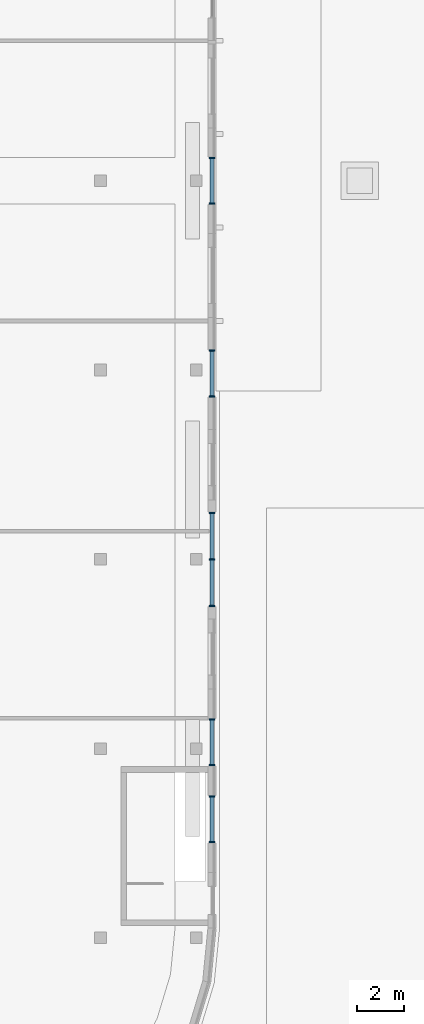
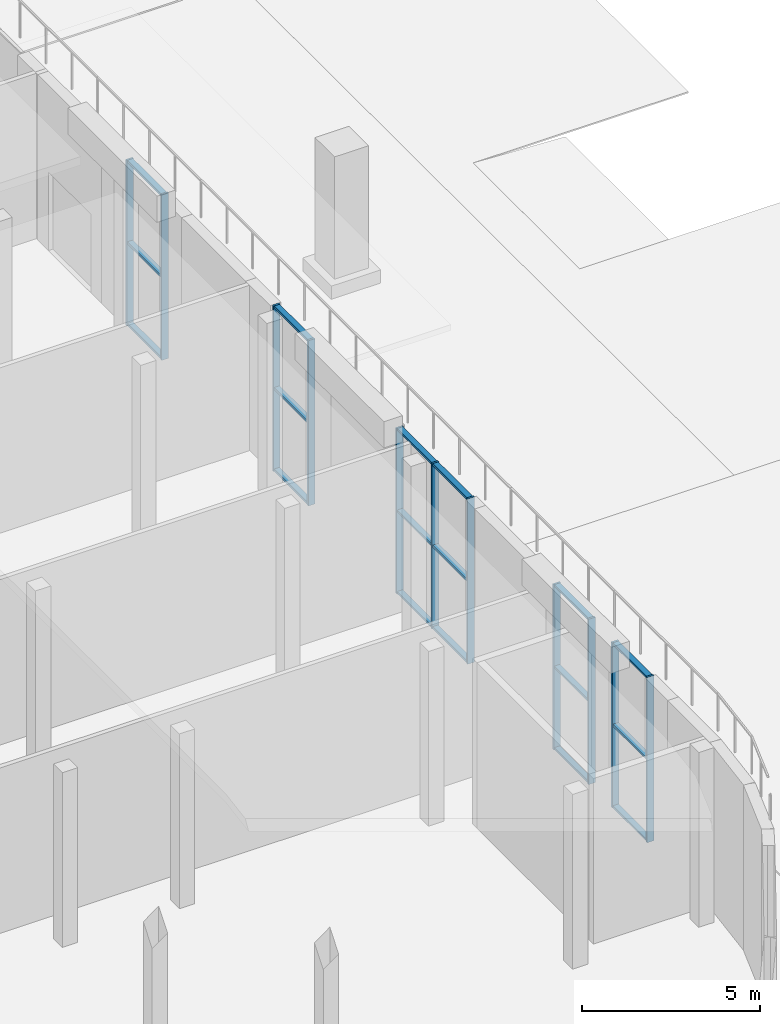
# One storey, part 3 of 32: 29 members, 5 elements without a shape of their own.
"""IFC4 building model written with IfcOpenShell, lengths in metres."""

from ifc_helpers import new_model, si_unit, direction, frame, origin, origin_2d, place, context, subcontext, project, spatial, rectangle, extrude, material, material_profile, profile_set, type_object, element, aggregate, save


model = new_model("IFC4")

# Units and contexts
model_context = context("Model", 3, precision=1e-05, world=origin(), true_north=direction((0.0, 1.0)))
body_context = subcontext(model_context, "Body", "Model", "MODEL_VIEW")
ifc_project = project(units=[si_unit("LENGTHUNIT", "METRE"), si_unit("AREAUNIT", "SQUARE_METRE"), si_unit("VOLUMEUNIT", "CUBIC_METRE"), si_unit("PLANEANGLEUNIT", "RADIAN"), si_unit("MASSUNIT", "GRAM", prefix="KILO")], contexts=[model_context])

# Site, building, storey
site_placement = place(None, origin())
site = spatial("IfcSite", under=ifc_project, at=site_placement, CompositionType="ELEMENT")
building_placement = place(site_placement, origin())
building = spatial("IfcBuilding", under=site, at=building_placement, Name="Torre Triforio", CompositionType="ELEMENT")
storey_placement = place(building_placement, origin())
storey = spatial("IfcBuildingStorey", under=building, at=storey_placement, Name="L00", CompositionType="ELEMENT", Elevation=0.0)

# Curtain wall, members
ifc_material_1 = material(Name="Aluminium mullion and transom frame with clear laminated glass", Category="aluminium")
curtain_wall_type = type_object("IfcCurtainWallType", Name="Lobby curtain wall ECW1", PredefinedType="NOTDEFINED", material=ifc_material_1)
curtain_wall_1_placement = place(storey_placement, origin())
curtain_wall_1 = element("IfcCurtainWall", 1, at=curtain_wall_1_placement, inside=storey, type_object=curtain_wall_type, Name="Lobby curtain wall L00 09.2.1.1", PredefinedType="NOTDEFINED")
ifc_material_2 = material(Name="Anodised aluminium extrusion", Category="aluminium")
ifc_material_profile_1 = material_profile(ifc_material_2, rectangle(XDim=0.219970703125, YDim=0.06494140625, at=origin_2d()), Name="ECW1 MULLION 65x220")
ifc_profile_set_1 = profile_set([ifc_material_profile_1], Name="Anodised aluminium extrusion")
member_type_1 = type_object("IfcMemberType", Name="ECW1 mullion 65 x 220", PredefinedType="MULLION", material=ifc_profile_set_1)
member_1_placement = place(storey_placement, frame((77.675048828125, -28.30078125, 0.0), z_axis=(0.0, 0.0, 1.0), x_axis=(-1.0, 0.0, 0.0)))
member_1 = element("IfcMember", 2, at=member_1_placement, type_object=member_type_1, Name="ECW1 mullion 1", PredefinedType="MULLION", context=body_context, shape_type="SweptSolid", body=[
    extrude(rectangle(XDim=0.219970703125, YDim=0.06494140625, at=origin_2d()), origin(), (0.0, 0.0, 1.0), 5.679931640625),
])
member_2_placement = place(storey_placement, frame((77.675048828125, -26.3408203125, 0.0), z_axis=(0.0, 0.0, 1.0), x_axis=(-1.0, 0.0, 0.0)))
member_2 = element("IfcMember", 3, at=member_2_placement, type_object=member_type_1, Name="ECW1 mullion 2", PredefinedType="MULLION", context=body_context, shape_type="SweptSolid", body=[
    extrude(rectangle(XDim=0.219970703125, YDim=0.06494140625, at=origin_2d()), origin(), (0.0, 0.0, 1.0), 5.679931640625),
])

curtain_wall_2_placement = place(storey_placement, origin())
curtain_wall_2 = element("IfcCurtainWall", 4, at=curtain_wall_2_placement, inside=storey, type_object=curtain_wall_type, Name="Lobby curtain wall L00 09.2.1.2", PredefinedType="NOTDEFINED")
member_3_placement = place(storey_placement, frame((77.675048828125, -25.00927734375, 0.0), z_axis=(0.0, 0.0, 1.0), x_axis=(-1.0, 0.0, 0.0)))
member_3 = element("IfcMember", 5, at=member_3_placement, type_object=member_type_1, Name="ECW1 mullion 1", PredefinedType="MULLION", context=body_context, shape_type="SweptSolid", body=[
    extrude(rectangle(XDim=0.219970703125, YDim=0.06494140625, at=origin_2d()), origin(), (0.0, 0.0, 1.0), 5.679931640625),
])
member_4_placement = place(storey_placement, frame((77.675048828125, -23.04931640625, 0.0), z_axis=(0.0, 0.0, 1.0), x_axis=(-1.0, 0.0, 0.0)))
member_4 = element("IfcMember", 6, at=member_4_placement, type_object=member_type_1, Name="ECW1 mullion 2", PredefinedType="MULLION", context=body_context, shape_type="SweptSolid", body=[
    extrude(rectangle(XDim=0.219970703125, YDim=0.06494140625, at=origin_2d()), origin(), (0.0, 0.0, 1.0), 5.679931640625),
])

curtain_wall_3_placement = place(storey_placement, origin())
curtain_wall_3 = element("IfcCurtainWall", 7, at=curtain_wall_3_placement, inside=storey, type_object=curtain_wall_type, Name="Lobby curtain wall L00 09.4.1.1", PredefinedType="NOTDEFINED")
member_5_placement = place(storey_placement, frame((77.675048828125, -18.1923828125, 0.0), z_axis=(0.0, 0.0, 1.0), x_axis=(-1.0, 0.0, 0.0)))
member_5 = element("IfcMember", 8, at=member_5_placement, type_object=member_type_1, Name="ECW1 mullion 1", PredefinedType="MULLION", context=body_context, shape_type="SweptSolid", body=[
    extrude(rectangle(XDim=0.219970703125, YDim=0.06494140625, at=origin_2d()), origin(), (0.0, 0.0, 1.0), 5.679931640625),
])
member_6_placement = place(storey_placement, frame((77.675048828125, -16.199951171875, 0.0), z_axis=(0.0, 0.0, 1.0), x_axis=(-1.0, 0.0, 0.0)))
member_6 = element("IfcMember", 9, at=member_6_placement, type_object=member_type_1, Name="ECW1 mullion 2", PredefinedType="MULLION", context=body_context, shape_type="SweptSolid", body=[
    extrude(rectangle(XDim=0.219970703125, YDim=0.06494140625, at=origin_2d()), origin(), (0.0, 0.0, 1.0), 5.679931640625),
])
member_7_placement = place(storey_placement, frame((77.675048828125, -14.20751953125, 0.0), z_axis=(0.0, 0.0, 1.0), x_axis=(-1.0, 0.0, 0.0)))
member_7 = element("IfcMember", 10, at=member_7_placement, type_object=member_type_1, Name="ECW1 mullion 3", PredefinedType="MULLION", context=body_context, shape_type="SweptSolid", body=[
    extrude(rectangle(XDim=0.219970703125, YDim=0.06494140625, at=origin_2d()), origin(), (0.0, 0.0, 1.0), 5.679931640625),
])

curtain_wall_4_placement = place(storey_placement, origin())
curtain_wall_4 = element("IfcCurtainWall", 11, at=curtain_wall_4_placement, inside=storey, type_object=curtain_wall_type, Name="Lobby curtain wall L00 09.6.1.1", PredefinedType="NOTDEFINED")
member_8_placement = place(storey_placement, frame((77.675048828125, -9.22998046875, 0.0), z_axis=(0.0, 0.0, 1.0), x_axis=(-1.0, 0.0, 0.0)))
member_8 = element("IfcMember", 12, at=member_8_placement, type_object=member_type_1, Name="ECW1 mullion 1", PredefinedType="MULLION", context=body_context, shape_type="SweptSolid", body=[
    extrude(rectangle(XDim=0.219970703125, YDim=0.06494140625, at=origin_2d()), origin(), (0.0, 0.0, 1.0), 5.679931640625),
])
member_9_placement = place(storey_placement, frame((77.675048828125, -7.27001953125, 0.0), z_axis=(0.0, 0.0, 1.0), x_axis=(-1.0, 0.0, 0.0)))
member_9 = element("IfcMember", 13, at=member_9_placement, type_object=member_type_1, Name="ECW1 mullion 2", PredefinedType="MULLION", context=body_context, shape_type="SweptSolid", body=[
    extrude(rectangle(XDim=0.219970703125, YDim=0.06494140625, at=origin_2d()), origin(), (0.0, 0.0, 1.0), 5.679931640625),
])

curtain_wall_5_placement = place(storey_placement, origin())
curtain_wall_5 = element("IfcCurtainWall", 14, at=curtain_wall_5_placement, inside=storey, type_object=curtain_wall_type, Name="Lobby curtain wall L00 09.8.1.1", PredefinedType="NOTDEFINED")
member_10_placement = place(storey_placement, frame((77.675048828125, -0.97998046875, 0.0), z_axis=(0.0, 0.0, 1.0), x_axis=(-1.0, 0.0, 0.0)))
member_10 = element("IfcMember", 15, at=member_10_placement, type_object=member_type_1, Name="ECW1 mullion 1", PredefinedType="MULLION", context=body_context, shape_type="SweptSolid", body=[
    extrude(rectangle(XDim=0.219970703125, YDim=0.06494140625, at=origin_2d()), origin(), (0.0, 0.0, 1.0), 5.679931640625),
])
member_11_placement = place(storey_placement, frame((77.675048828125, 0.97998046875, 0.0), z_axis=(0.0, 0.0, 1.0), x_axis=(-1.0, 0.0, 0.0)))
member_11 = element("IfcMember", 16, at=member_11_placement, type_object=member_type_1, Name="ECW1 mullion 2", PredefinedType="MULLION", context=body_context, shape_type="SweptSolid", body=[
    extrude(rectangle(XDim=0.219970703125, YDim=0.06494140625, at=origin_2d()), origin(), (0.0, 0.0, 1.0), 5.679931640625),
])

# Member
ifc_material_profile_2 = material_profile(ifc_material_2, rectangle(XDim=0.179931640625, YDim=0.080078125, at=origin_2d()), Name="ECW1 TRANSOM 80x180")
ifc_profile_set_2 = profile_set([ifc_material_profile_2], Name="Anodised aluminium extrusion")
member_type_2 = type_object("IfcMemberType", Name="ECW1 transom 80 x 180", PredefinedType="USERDEFINED", material=ifc_profile_set_2)
member_12_placement = place(storey_placement, frame((77.675048828125, -28.268310546875, 0.0400390625), z_axis=(0.0, 1.0, 0.0), x_axis=(-1.0, 0.0, 0.0)))
member_12 = element("IfcMember", 17, at=member_12_placement, type_object=member_type_2, Name="ECW1 transom 1.1", ObjectType="TRANSOM", PredefinedType="USERDEFINED", context=body_context, shape_type="SweptSolid", body=[
    extrude(rectangle(XDim=0.179931640625, YDim=0.080078125, at=origin_2d()), origin(), (0.0, 0.0, 1.0), 1.89501953125),
])

member_13_placement = place(storey_placement, frame((77.675048828125, -28.268310546875, 2.840087890625), z_axis=(0.0, 1.0, 0.0), x_axis=(-1.0, 0.0, 0.0)))
member_13 = element("IfcMember", 18, at=member_13_placement, type_object=member_type_2, Name="ECW1 transom 1.2", ObjectType="TRANSOM", PredefinedType="USERDEFINED", context=body_context, shape_type="SweptSolid", body=[
    extrude(rectangle(XDim=0.179931640625, YDim=0.080078125, at=origin_2d()), origin(), (0.0, 0.0, 1.0), 1.89501953125),
])

member_14_placement = place(storey_placement, frame((77.675048828125, -28.268310546875, 5.639892578125), z_axis=(0.0, 1.0, 0.0), x_axis=(-1.0, 0.0, 0.0)))
member_14 = element("IfcMember", 19, at=member_14_placement, type_object=member_type_2, Name="ECW1 transom 1.3", ObjectType="TRANSOM", PredefinedType="USERDEFINED", context=body_context, shape_type="SweptSolid", body=[
    extrude(rectangle(XDim=0.179931640625, YDim=0.080078125, at=origin_2d()), origin(), (0.0, 0.0, 1.0), 1.89501953125),
])

aggregate(curtain_wall_1, [member_1, member_2, member_12, member_13, member_14])

member_15_placement = place(storey_placement, frame((77.675048828125, -24.976806640625, 0.0400390625), z_axis=(0.0, 1.0, 0.0), x_axis=(-1.0, 0.0, 0.0)))
member_15 = element("IfcMember", 20, at=member_15_placement, type_object=member_type_2, Name="ECW1 transom 1.1", ObjectType="TRANSOM", PredefinedType="USERDEFINED", context=body_context, shape_type="SweptSolid", body=[
    extrude(rectangle(XDim=0.179931640625, YDim=0.080078125, at=origin_2d()), origin(), (0.0, 0.0, 1.0), 1.89501953125),
])

member_16_placement = place(storey_placement, frame((77.675048828125, -24.976806640625, 2.840087890625), z_axis=(0.0, 1.0, 0.0), x_axis=(-1.0, 0.0, 0.0)))
member_16 = element("IfcMember", 21, at=member_16_placement, type_object=member_type_2, Name="ECW1 transom 1.2", ObjectType="TRANSOM", PredefinedType="USERDEFINED", context=body_context, shape_type="SweptSolid", body=[
    extrude(rectangle(XDim=0.179931640625, YDim=0.080078125, at=origin_2d()), origin(), (0.0, 0.0, 1.0), 1.89501953125),
])

member_17_placement = place(storey_placement, frame((77.675048828125, -24.976806640625, 5.639892578125), z_axis=(0.0, 1.0, 0.0), x_axis=(-1.0, 0.0, 0.0)))
member_17 = element("IfcMember", 22, at=member_17_placement, type_object=member_type_2, Name="ECW1 transom 1.3", ObjectType="TRANSOM", PredefinedType="USERDEFINED", context=body_context, shape_type="SweptSolid", body=[
    extrude(rectangle(XDim=0.179931640625, YDim=0.080078125, at=origin_2d()), origin(), (0.0, 0.0, 1.0), 1.89501953125),
])

aggregate(curtain_wall_2, [member_3, member_4, member_15, member_16, member_17])

member_18_placement = place(storey_placement, frame((77.675048828125, -18.159912109375, 0.0400390625), z_axis=(0.0, 1.0, 0.0), x_axis=(-1.0, 0.0, 0.0)))
member_18 = element("IfcMember", 23, at=member_18_placement, type_object=member_type_2, Name="ECW1 transom 1.1", ObjectType="TRANSOM", PredefinedType="USERDEFINED", context=body_context, shape_type="SweptSolid", body=[
    extrude(rectangle(XDim=0.179931640625, YDim=0.080078125, at=origin_2d()), origin(), (0.0, 0.0, 1.0), 1.927490234375),
])

member_19_placement = place(storey_placement, frame((77.675048828125, -18.159912109375, 2.840087890625), z_axis=(0.0, 1.0, 0.0), x_axis=(-1.0, 0.0, 0.0)))
member_19 = element("IfcMember", 24, at=member_19_placement, type_object=member_type_2, Name="ECW1 transom 1.2", ObjectType="TRANSOM", PredefinedType="USERDEFINED", context=body_context, shape_type="SweptSolid", body=[
    extrude(rectangle(XDim=0.179931640625, YDim=0.080078125, at=origin_2d()), origin(), (0.0, 0.0, 1.0), 1.927490234375),
])

member_20_placement = place(storey_placement, frame((77.675048828125, -18.159912109375, 5.639892578125), z_axis=(0.0, 1.0, 0.0), x_axis=(-1.0, 0.0, 0.0)))
member_20 = element("IfcMember", 25, at=member_20_placement, type_object=member_type_2, Name="ECW1 transom 1.3", ObjectType="TRANSOM", PredefinedType="USERDEFINED", context=body_context, shape_type="SweptSolid", body=[
    extrude(rectangle(XDim=0.179931640625, YDim=0.080078125, at=origin_2d()), origin(), (0.0, 0.0, 1.0), 1.927490234375),
])

member_21_placement = place(storey_placement, frame((77.675048828125, -16.16748046875, 0.0400390625), z_axis=(0.0, 1.0, 0.0), x_axis=(-1.0, 0.0, 0.0)))
member_21 = element("IfcMember", 26, at=member_21_placement, type_object=member_type_2, Name="ECW1 transom 2.1", ObjectType="TRANSOM", PredefinedType="USERDEFINED", context=body_context, shape_type="SweptSolid", body=[
    extrude(rectangle(XDim=0.179931640625, YDim=0.080078125, at=origin_2d()), origin(), (0.0, 0.0, 1.0), 1.927490234375),
])

member_22_placement = place(storey_placement, frame((77.675048828125, -16.16748046875, 2.840087890625), z_axis=(0.0, 1.0, 0.0), x_axis=(-1.0, 0.0, 0.0)))
member_22 = element("IfcMember", 27, at=member_22_placement, type_object=member_type_2, Name="ECW1 transom 2.2", ObjectType="TRANSOM", PredefinedType="USERDEFINED", context=body_context, shape_type="SweptSolid", body=[
    extrude(rectangle(XDim=0.179931640625, YDim=0.080078125, at=origin_2d()), origin(), (0.0, 0.0, 1.0), 1.927490234375),
])

member_23_placement = place(storey_placement, frame((77.675048828125, -16.16748046875, 5.639892578125), z_axis=(0.0, 1.0, 0.0), x_axis=(-1.0, 0.0, 0.0)))
member_23 = element("IfcMember", 28, at=member_23_placement, type_object=member_type_2, Name="ECW1 transom 2.3", ObjectType="TRANSOM", PredefinedType="USERDEFINED", context=body_context, shape_type="SweptSolid", body=[
    extrude(rectangle(XDim=0.179931640625, YDim=0.080078125, at=origin_2d()), origin(), (0.0, 0.0, 1.0), 1.927490234375),
])

aggregate(curtain_wall_3, [member_5, member_6, member_7, member_18, member_19, member_20, member_21, member_22, member_23])

member_24_placement = place(storey_placement, frame((77.675048828125, -9.197509765625, 0.0400390625), z_axis=(0.0, 1.0, 0.0), x_axis=(-1.0, 0.0, 0.0)))
member_24 = element("IfcMember", 29, at=member_24_placement, type_object=member_type_2, Name="ECW1 transom 1.1", ObjectType="TRANSOM", PredefinedType="USERDEFINED", context=body_context, shape_type="SweptSolid", body=[
    extrude(rectangle(XDim=0.179931640625, YDim=0.080078125, at=origin_2d()), origin(), (0.0, 0.0, 1.0), 1.89501953125),
])

member_25_placement = place(storey_placement, frame((77.675048828125, -9.197509765625, 2.840087890625), z_axis=(0.0, 1.0, 0.0), x_axis=(-1.0, 0.0, 0.0)))
member_25 = element("IfcMember", 30, at=member_25_placement, type_object=member_type_2, Name="ECW1 transom 1.2", ObjectType="TRANSOM", PredefinedType="USERDEFINED", context=body_context, shape_type="SweptSolid", body=[
    extrude(rectangle(XDim=0.179931640625, YDim=0.080078125, at=origin_2d()), origin(), (0.0, 0.0, 1.0), 1.89501953125),
])

member_26_placement = place(storey_placement, frame((77.675048828125, -9.197509765625, 5.639892578125), z_axis=(0.0, 1.0, 0.0), x_axis=(-1.0, 0.0, 0.0)))
member_26 = element("IfcMember", 31, at=member_26_placement, type_object=member_type_2, Name="ECW1 transom 1.3", ObjectType="TRANSOM", PredefinedType="USERDEFINED", context=body_context, shape_type="SweptSolid", body=[
    extrude(rectangle(XDim=0.179931640625, YDim=0.080078125, at=origin_2d()), origin(), (0.0, 0.0, 1.0), 1.89501953125),
])

aggregate(curtain_wall_4, [member_8, member_9, member_24, member_25, member_26])

member_27_placement = place(storey_placement, frame((77.675048828125, -0.947509765625, 0.0400390625), z_axis=(0.0, 1.0, 0.0), x_axis=(-1.0, 0.0, 0.0)))
member_27 = element("IfcMember", 32, at=member_27_placement, type_object=member_type_2, Name="ECW1 transom 1.1", ObjectType="TRANSOM", PredefinedType="USERDEFINED", context=body_context, shape_type="SweptSolid", body=[
    extrude(rectangle(XDim=0.179931640625, YDim=0.080078125, at=origin_2d()), origin(), (0.0, 0.0, 1.0), 1.89501953125),
])

member_28_placement = place(storey_placement, frame((77.675048828125, -0.947509765625, 2.840087890625), z_axis=(0.0, 1.0, 0.0), x_axis=(-1.0, 0.0, 0.0)))
member_28 = element("IfcMember", 33, at=member_28_placement, type_object=member_type_2, Name="ECW1 transom 1.2", ObjectType="TRANSOM", PredefinedType="USERDEFINED", context=body_context, shape_type="SweptSolid", body=[
    extrude(rectangle(XDim=0.179931640625, YDim=0.080078125, at=origin_2d()), origin(), (0.0, 0.0, 1.0), 1.89501953125),
])

member_29_placement = place(storey_placement, frame((77.675048828125, -0.947509765625, 5.639892578125), z_axis=(0.0, 1.0, 0.0), x_axis=(-1.0, 0.0, 0.0)))
member_29 = element("IfcMember", 34, at=member_29_placement, type_object=member_type_2, Name="ECW1 transom 1.3", ObjectType="TRANSOM", PredefinedType="USERDEFINED", context=body_context, shape_type="SweptSolid", body=[
    extrude(rectangle(XDim=0.179931640625, YDim=0.080078125, at=origin_2d()), origin(), (0.0, 0.0, 1.0), 1.89501953125),
])

aggregate(curtain_wall_5, [member_10, member_11, member_27, member_28, member_29])

save(model, "model.ifc")
